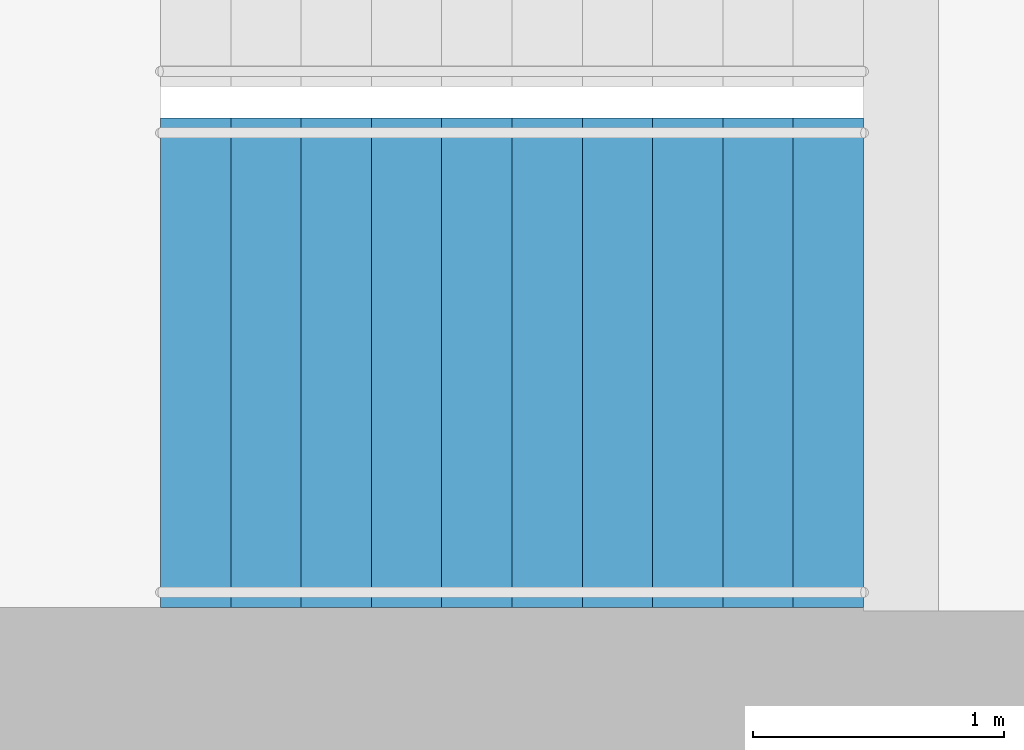
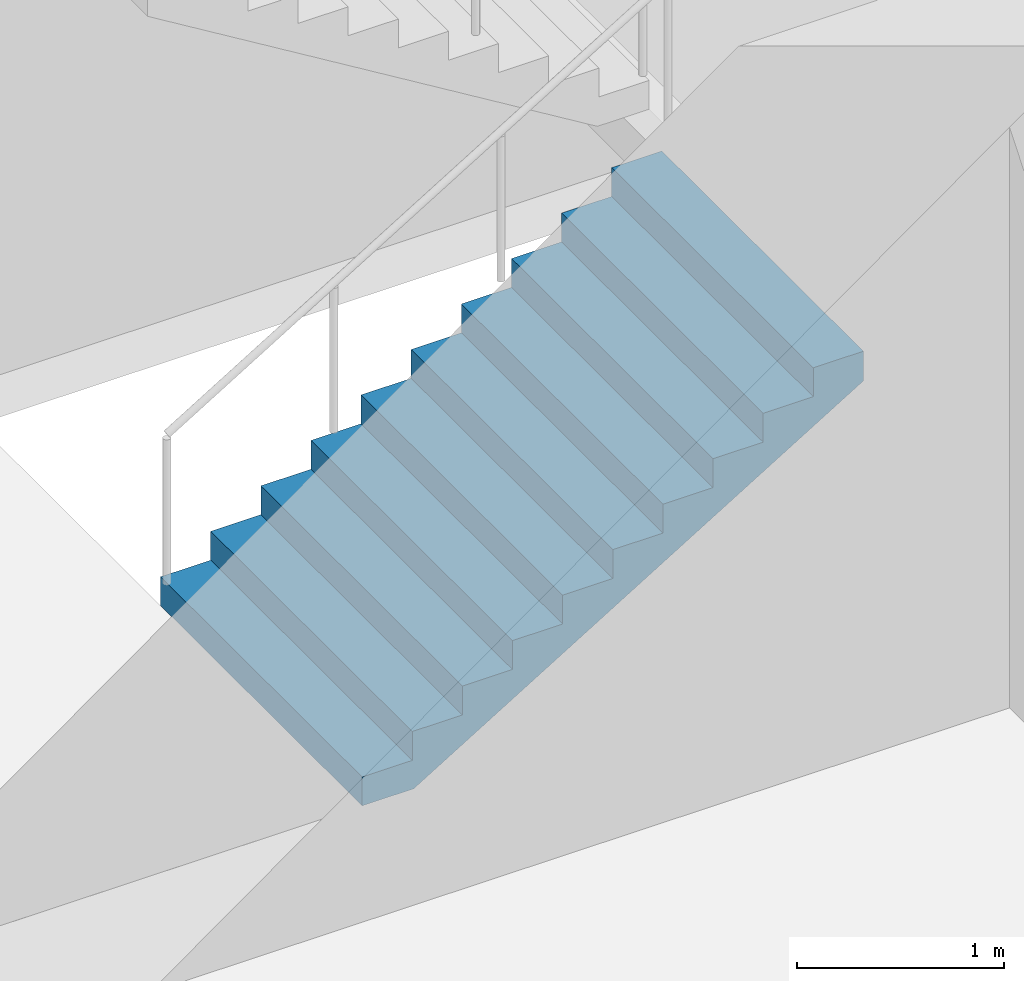
# One storey, part 18 of 22: 1 stair flight, 1 element without a shape of its own.
"""IFC4 building model written with IfcOpenShell, lengths in metres."""

from ifc_helpers import new_model, si_unit, direction, frame, origin, place, context, subcontext, project, spatial, triangles, material, type_object, element, aggregate, save


model = new_model("IFC4")

# Units and contexts
model_context = context("Model", 3, precision=1e-05, world=origin(), true_north=direction((0.0, 1.0)))
body_context = subcontext(model_context, "Body", "Model", "MODEL_VIEW")
ifc_project = project(units=[si_unit("LENGTHUNIT", "METRE"), si_unit("AREAUNIT", "SQUARE_METRE"), si_unit("VOLUMEUNIT", "CUBIC_METRE"), si_unit("PLANEANGLEUNIT", "RADIAN"), si_unit("MASSUNIT", "GRAM", prefix="KILO")], contexts=[model_context])

# Site, building, storey
site_placement = place(None, origin())
site = spatial("IfcSite", under=ifc_project, at=site_placement, CompositionType="ELEMENT")
building_placement = place(site_placement, origin())
building = spatial("IfcBuilding", under=site, at=building_placement, Name="Orbita Commons", CompositionType="ELEMENT")
storey_placement = place(building_placement, frame((0.0, 0.0, 182.35009765625)))
storey = spatial("IfcBuildingStorey", under=building, at=storey_placement, Name="L45", CompositionType="ELEMENT", Elevation=182.35009765625)

# Stair, stair flight
ifc_material_1 = material(Name="Precast concrete C40/50", Category="concrete")
stair_type = type_object("IfcStairType", Name="Exit stair S1 2 flights 11 risers 170", PredefinedType="HALF_TURN_STAIR", material=ifc_material_1)
stair_placement = place(storey_placement, origin())
stair = element("IfcStair", 1, at=stair_placement, inside=storey, type_object=stair_type, Name="Exit stair S1 L45", PredefinedType="HALF_TURN_STAIR")
ifc_material_2 = material(Name="Precast concrete C40/50", Category="concrete")
stair_flight_type = type_object("IfcStairFlightType", Name="Stair flight 11 risers 170 x 280", PredefinedType="STRAIGHT", material=ifc_material_2)
stair_flight_placement = place(storey_placement, frame((20.449951171875, 27.199951171875, 0.0), z_axis=(0.0, 0.0, 1.0), x_axis=(1.0, 0.0, 0.0)))
stair_flight = element("IfcStairFlight", 2, at=stair_flight_placement, type_object=stair_flight_type, Name="S1 flight 1", NumberOfRisers=11, NumberOfTreads=10, PredefinedType="STRAIGHT", RiserHeight=0.170454545, TreadLength=0.28, context=body_context, shape_type="Tessellation", body=[
    triangles([(0.0, 0.974976, 0.0), (0.0, 0.974976, 0.021307), (0.0, 0.81248, 0.021307), (0.0, 0.81248, 0.0), (0.0, 0.649984, 0.021307), (0.0, 0.649984, 0.0), (0.0, 0.487488, 0.021307), (0.0, 0.487488, 0.0), (0.0, 0.324992, 0.021307), (0.0, 0.324992, 0.0), (0.0, 0.162496, 0.021307), (0.0, 0.162496, 0.0), (0.0, 0.0, 0.021307), (0.0, 0.0, 0.0), (0.0, -0.162496, 0.021307), (0.0, -0.162496, 0.0), (0.0, -0.324992, 0.021307), (0.0, -0.324992, 0.0), (0.0, -0.487488, 0.021307), (0.0, -0.487488, 0.0), (0.0, -0.649984, 0.021307), (0.0, -0.649984, 0.0), (0.0, -0.81248, 0.021307), (0.0, -0.81248, 0.0), (0.0, -0.974976, 0.021307), (0.0, -0.974976, 0.0), (0.0, 0.974976, 0.042614), (0.0, 0.81248, 0.042614), (0.0, 0.649984, 0.042614), (0.0, 0.487488, 0.042614), (0.0, 0.324992, 0.042614), (0.0, 0.162496, 0.042614), (0.0, 0.0, 0.042614), (0.0, -0.162496, 0.042614), (0.0, -0.324992, 0.042614), (0.0, -0.487488, 0.042614), (0.0, -0.649984, 0.042614), (0.0, -0.81248, 0.042614), (0.0, -0.974976, 0.042614), (0.0, 0.974976, 0.06392), (0.0, 0.81248, 0.06392), (0.0, 0.649984, 0.06392), (0.0, 0.487488, 0.06392), (0.0, 0.324992, 0.06392), (0.0, 0.162496, 0.06392), (0.0, 0.0, 0.06392), (0.0, -0.162496, 0.06392), (0.0, -0.324992, 0.06392), (0.0, -0.487488, 0.06392), (0.0, -0.649984, 0.06392), (0.0, -0.81248, 0.06392), (0.0, -0.974976, 0.06392), (0.0, 0.974976, 0.085227), (0.0, 0.81248, 0.085227), (0.0, 0.649984, 0.085227), (0.0, 0.487488, 0.085227), (0.0, 0.324992, 0.085227), (0.0, 0.162496, 0.085227), (0.0, 0.0, 0.085227), (0.0, -0.162496, 0.085227), (0.0, -0.324992, 0.085227), (0.0, -0.487488, 0.085227), (0.0, -0.649984, 0.085227), (0.0, -0.81248, 0.085227), (0.0, -0.974976, 0.085227), (0.0, 0.974976, 0.106534), (0.0, 0.81248, 0.106534), (0.0, 0.649984, 0.106534), (0.0, 0.487488, 0.106534), (0.0, 0.324992, 0.106534), (0.0, 0.162496, 0.106534), (0.0, 0.0, 0.106534), (0.0, -0.162496, 0.106534), (0.0, -0.324992, 0.106534), (0.0, -0.487488, 0.106534), (0.0, -0.649984, 0.106534), (0.0, -0.81248, 0.106534), (0.0, -0.974976, 0.106534), (0.0, 0.974976, 0.127841), (0.0, 0.81248, 0.127841), (0.0, 0.649984, 0.127841), (0.0, 0.487488, 0.127841), (0.0, 0.324992, 0.127841), (0.0, 0.162496, 0.127841), (0.0, 0.0, 0.127841), (0.0, -0.162496, 0.127841), (0.0, -0.324992, 0.127841), (0.0, -0.487488, 0.127841), (0.0, -0.649984, 0.127841), (0.0, -0.81248, 0.127841), (0.0, -0.974976, 0.127841), (0.0, 0.974976, 0.149148), (0.0, 0.81248, 0.149148), (0.0, 0.649984, 0.149148), (0.0, 0.487488, 0.149148), (0.0, 0.324992, 0.149148), (0.0, 0.162496, 0.149148), (0.0, 0.0, 0.149148), (0.0, -0.162496, 0.149148), (0.0, -0.324992, 0.149148), (0.0, -0.487488, 0.149148), (0.0, -0.649984, 0.149148), (0.0, -0.81248, 0.149148), (0.0, -0.974976, 0.149148), (0.0, 0.974976, 0.170455), (0.0, 0.81248, 0.170455), (0.0, 0.649984, 0.170455), (0.0, 0.487488, 0.170455), (0.0, 0.324992, 0.170455), (0.0, 0.162496, 0.170455), (0.0, 0.0, 0.170455), (0.0, -0.162496, 0.170455), (0.0, -0.324992, 0.170455), (0.0, -0.487488, 0.170455), (0.0, -0.649984, 0.170455), (0.0, -0.81248, 0.170455), (0.0, -0.974976, 0.170455), (0.28, 0.974976, 0.170455), (0.28, 0.81248, 0.170455), (0.28, 0.649984, 0.170455), (0.28, 0.487488, 0.170455), (0.28, 0.324992, 0.170455), (0.28, 0.162496, 0.170455), (0.28, 0.0, 0.170455), (0.28, -0.162496, 0.170455), (0.28, -0.324992, 0.170455), (0.28, -0.487488, 0.170455), (0.28, -0.649984, 0.170455), (0.28, -0.81248, 0.170455), (0.28, -0.974976, 0.170455), (0.28, 0.974976, 0.340909), (0.28, 0.81248, 0.340909), (0.28, 0.649984, 0.340909), (0.28, 0.487488, 0.340909), (0.28, 0.324992, 0.340909), (0.28, 0.162496, 0.340909), (0.28, 0.0, 0.340909), (0.28, -0.162496, 0.340909), (0.28, -0.324992, 0.340909), (0.28, -0.487488, 0.340909), (0.28, -0.649984, 0.340909), (0.28, -0.81248, 0.340909), (0.28, -0.974976, 0.340909), (0.56, 0.974976, 0.340909), (0.56, 0.81248, 0.340909), (0.56, 0.649984, 0.340909), (0.56, 0.487488, 0.340909), (0.56, 0.324992, 0.340909), (0.56, 0.162496, 0.340909), (0.56, 0.0, 0.340909), (0.56, -0.162496, 0.340909), (0.56, -0.324992, 0.340909), (0.56, -0.487488, 0.340909), (0.56, -0.649984, 0.340909), (0.56, -0.81248, 0.340909), (0.56, -0.974976, 0.340909), (0.56, 0.974976, 0.511364), (0.56, 0.81248, 0.511364), (0.56, 0.649984, 0.511364), (0.56, 0.487488, 0.511364), (0.56, 0.324992, 0.511364), (0.56, 0.162496, 0.511364), (0.56, 0.0, 0.511364), (0.56, -0.162496, 0.511364), (0.56, -0.324992, 0.511364), (0.56, -0.487488, 0.511364), (0.56, -0.649984, 0.511364), (0.56, -0.81248, 0.511364), (0.56, -0.974976, 0.511364), (0.84, 0.974976, 0.511364), (0.84, 0.81248, 0.511364), (0.84, 0.649984, 0.511364), (0.84, 0.487488, 0.511364), (0.84, 0.324992, 0.511364), (0.84, 0.162496, 0.511364), (0.84, 0.0, 0.511364), (0.84, -0.162496, 0.511364), (0.84, -0.324992, 0.511364), (0.84, -0.487488, 0.511364), (0.84, -0.649984, 0.511364), (0.84, -0.81248, 0.511364), (0.84, -0.974976, 0.511364), (0.84, 0.974976, 0.681818), (0.84, 0.81248, 0.681818), (0.84, 0.649984, 0.681818), (0.84, 0.487488, 0.681818), (0.84, 0.324992, 0.681818), (0.84, 0.162496, 0.681818), (0.84, 0.0, 0.681818), (0.84, -0.162496, 0.681818), (0.84, -0.324992, 0.681818), (0.84, -0.487488, 0.681818), (0.84, -0.649984, 0.681818), (0.84, -0.81248, 0.681818), (0.84, -0.974976, 0.681818), (1.12, 0.974976, 0.681818), (1.12, 0.81248, 0.681818), (1.12, 0.649984, 0.681818), (1.12, 0.487488, 0.681818), (1.12, 0.324992, 0.681818), (1.12, 0.162496, 0.681818), (1.12, 0.0, 0.681818), (1.12, -0.162496, 0.681818), (1.12, -0.324992, 0.681818), (1.12, -0.487488, 0.681818), (1.12, -0.649984, 0.681818), (1.12, -0.81248, 0.681818), (1.12, -0.974976, 0.681818), (1.12, 0.974976, 0.852273), (1.12, 0.81248, 0.852273), (1.12, 0.649984, 0.852273), (1.12, 0.487488, 0.852273), (1.12, 0.324992, 0.852273), (1.12, 0.162496, 0.852273), (1.12, 0.0, 0.852273), (1.12, -0.162496, 0.852273), (1.12, -0.324992, 0.852273), (1.12, -0.487488, 0.852273), (1.12, -0.649984, 0.852273), (1.12, -0.81248, 0.852273), (1.12, -0.974976, 0.852273), (1.4, 0.974976, 0.852273), (1.4, 0.81248, 0.852273), (1.4, 0.649984, 0.852273), (1.4, 0.487488, 0.852273), (1.4, 0.324992, 0.852273), (1.4, 0.162496, 0.852273), (1.4, 0.0, 0.852273), (1.4, -0.162496, 0.852273), (1.4, -0.324992, 0.852273), (1.4, -0.487488, 0.852273), (1.4, -0.649984, 0.852273), (1.4, -0.81248, 0.852273), (1.4, -0.974976, 0.852273), (1.4, 0.974976, 1.022727), (1.4, 0.81248, 1.022727), (1.4, 0.649984, 1.022727), (1.4, 0.487488, 1.022727), (1.4, 0.324992, 1.022727), (1.4, 0.162496, 1.022727), (1.4, 0.0, 1.022727), (1.4, -0.162496, 1.022727), (1.4, -0.324992, 1.022727), (1.4, -0.487488, 1.022727), (1.4, -0.649984, 1.022727), (1.4, -0.81248, 1.022727), (1.4, -0.974976, 1.022727), (1.68, 0.974976, 1.022727), (1.68, 0.81248, 1.022727), (1.68, 0.649984, 1.022727), (1.68, 0.487488, 1.022727), (1.68, 0.324992, 1.022727), (1.68, 0.162496, 1.022727), (1.68, 0.0, 1.022727), (1.68, -0.162496, 1.022727), (1.68, -0.324992, 1.022727), (1.68, -0.487488, 1.022727), (1.68, -0.649984, 1.022727), (1.68, -0.81248, 1.022727), (1.68, -0.974976, 1.022727), (1.68, 0.974976, 1.193182), (1.68, 0.81248, 1.193182), (1.68, 0.649984, 1.193182), (1.68, 0.487488, 1.193182), (1.68, 0.324992, 1.193182), (1.68, 0.162496, 1.193182), (1.68, 0.0, 1.193182), (1.68, -0.162496, 1.193182), (1.68, -0.324992, 1.193182), (1.68, -0.487488, 1.193182), (1.68, -0.649984, 1.193182), (1.68, -0.81248, 1.193182), (1.68, -0.974976, 1.193182), (1.96, 0.974976, 1.193182), (1.96, 0.81248, 1.193182), (1.96, 0.649984, 1.193182), (1.96, 0.487488, 1.193182), (1.96, 0.324992, 1.193182), (1.96, 0.162496, 1.193182), (1.96, 0.0, 1.193182), (1.96, -0.162496, 1.193182), (1.96, -0.324992, 1.193182), (1.96, -0.487488, 1.193182), (1.96, -0.649984, 1.193182), (1.96, -0.81248, 1.193182), (1.96, -0.974976, 1.193182), (1.96, 0.974976, 1.363636), (1.96, 0.81248, 1.363636), (1.96, 0.649984, 1.363636), (1.96, 0.487488, 1.363636), (1.96, 0.324992, 1.363636), (1.96, 0.162496, 1.363636), (1.96, 0.0, 1.363636), (1.96, -0.162496, 1.363636), (1.96, -0.324992, 1.363636), (1.96, -0.487488, 1.363636), (1.96, -0.649984, 1.363636), (1.96, -0.81248, 1.363636), (1.96, -0.974976, 1.363636), (2.24, 0.974976, 1.363636), (2.24, 0.81248, 1.363636), (2.24, 0.649984, 1.363636), (2.24, 0.487488, 1.363636), (2.24, 0.324992, 1.363636), (2.24, 0.162496, 1.363636), (2.24, 0.0, 1.363636), (2.24, -0.162496, 1.363636), (2.24, -0.324992, 1.363636), (2.24, -0.487488, 1.363636), (2.24, -0.649984, 1.363636), (2.24, -0.81248, 1.363636), (2.24, -0.974976, 1.363636), (2.24, 0.974976, 1.534091), (2.24, 0.81248, 1.534091), (2.24, 0.649984, 1.534091), (2.24, 0.487488, 1.534091), (2.24, 0.324992, 1.534091), (2.24, 0.162496, 1.534091), (2.24, 0.0, 1.534091), (2.24, -0.162496, 1.534091), (2.24, -0.324992, 1.534091), (2.24, -0.487488, 1.534091), (2.24, -0.649984, 1.534091), (2.24, -0.81248, 1.534091), (2.24, -0.974976, 1.534091), (2.52, 0.974976, 1.534091), (2.52, 0.81248, 1.534091), (2.52, 0.649984, 1.534091), (2.52, 0.487488, 1.534091), (2.52, 0.324992, 1.534091), (2.52, 0.162496, 1.534091), (2.52, 0.0, 1.534091), (2.52, -0.162496, 1.534091), (2.52, -0.324992, 1.534091), (2.52, -0.487488, 1.534091), (2.52, -0.649984, 1.534091), (2.52, -0.81248, 1.534091), (2.52, -0.974976, 1.534091), (2.52, 0.974976, 1.704545), (2.52, 0.81248, 1.704545), (2.52, 0.649984, 1.704545), (2.52, 0.487488, 1.704545), (2.52, 0.324992, 1.704545), (2.52, 0.162496, 1.704545), (2.52, 0.0, 1.704545), (2.52, -0.162496, 1.704545), (2.52, -0.324992, 1.704545), (2.52, -0.487488, 1.704545), (2.52, -0.649984, 1.704545), (2.52, -0.81248, 1.704545), (2.52, -0.974976, 1.704545), (2.8, 0.974976, 1.704545), (2.8, 0.81248, 1.704545), (2.8, 0.649984, 1.704545), (2.8, 0.487488, 1.704545), (2.8, 0.324992, 1.704545), (2.8, 0.162496, 1.704545), (2.8, 0.0, 1.704545), (2.8, -0.162496, 1.704545), (2.8, -0.324992, 1.704545), (2.8, -0.487488, 1.704545), (2.8, -0.649984, 1.704545), (2.8, -0.81248, 1.704545), (2.8, -0.974976, 1.704545), (2.8, 0.974976, 1.682609), (2.8, 0.81248, 1.682609), (2.8, 0.649984, 1.682609), (2.8, 0.487488, 1.682609), (2.8, 0.324992, 1.682609), (2.8, 0.162496, 1.682609), (2.8, 0.0, 1.682609), (2.8, -0.162496, 1.682609), (2.8, -0.324992, 1.682609), (2.8, -0.487488, 1.682609), (2.8, -0.649984, 1.682609), (2.8, -0.81248, 1.682609), (2.8, -0.974976, 1.682609), (2.8, 0.974976, 1.660672), (2.8, 0.81248, 1.660672), (2.8, 0.649984, 1.660672), (2.8, 0.487488, 1.660672), (2.8, 0.324992, 1.660672), (2.8, 0.162496, 1.660672), (2.8, 0.0, 1.660672), (2.8, -0.162496, 1.660672), (2.8, -0.324992, 1.660672), (2.8, -0.487488, 1.660672), (2.8, -0.649984, 1.660672), (2.8, -0.81248, 1.660672), (2.8, -0.974976, 1.660672), (2.8, 0.974976, 1.638735), (2.8, 0.81248, 1.638735), (2.8, 0.649984, 1.638735), (2.8, 0.487488, 1.638735), (2.8, 0.324992, 1.638735), (2.8, 0.162496, 1.638735), (2.8, 0.0, 1.638735), (2.8, -0.162496, 1.638735), (2.8, -0.324992, 1.638735), (2.8, -0.487488, 1.638735), (2.8, -0.649984, 1.638735), (2.8, -0.81248, 1.638735), (2.8, -0.974976, 1.638735), (2.8, 0.974976, 1.616798), (2.8, 0.81248, 1.616798), (2.8, 0.649984, 1.616798), (2.8, 0.487488, 1.616798), (2.8, 0.324992, 1.616798), (2.8, 0.162496, 1.616798), (2.8, 0.0, 1.616798), (2.8, -0.162496, 1.616798), (2.8, -0.324992, 1.616798), (2.8, -0.487488, 1.616798), (2.8, -0.649984, 1.616798), (2.8, -0.81248, 1.616798), (2.8, -0.974976, 1.616798), (2.8, 0.974976, 1.594861), (2.8, 0.81248, 1.594861), (2.8, 0.649984, 1.594861), (2.8, 0.487488, 1.594861), (2.8, 0.324992, 1.594861), (2.8, 0.162496, 1.594861), (2.8, 0.0, 1.594861), (2.8, -0.162496, 1.594861), (2.8, -0.324992, 1.594861), (2.8, -0.487488, 1.594861), (2.8, -0.649984, 1.594861), (2.8, -0.81248, 1.594861), (2.8, -0.974976, 1.594861), (2.8, 0.974976, 1.572925), (2.8, 0.81248, 1.572925), (2.8, 0.649984, 1.572925), (2.8, 0.487488, 1.572925), (2.8, 0.324992, 1.572925), (2.8, 0.162496, 1.572925), (2.8, 0.0, 1.572925), (2.8, -0.162496, 1.572925), (2.8, -0.324992, 1.572925), (2.8, -0.487488, 1.572925), (2.8, -0.649984, 1.572925), (2.8, -0.81248, 1.572925), (2.8, -0.974976, 1.572925), (2.8, 0.974976, 1.550988), (2.8, 0.81248, 1.550988), (2.8, 0.649984, 1.550988), (2.8, 0.487488, 1.550988), (2.8, 0.324992, 1.550988), (2.8, 0.162496, 1.550988), (2.8, 0.0, 1.550988), (2.8, -0.162496, 1.550988), (2.8, -0.324992, 1.550988), (2.8, -0.487488, 1.550988), (2.8, -0.649984, 1.550988), (2.8, -0.81248, 1.550988), (2.8, -0.974976, 1.550988), (2.8, 0.974976, 1.529051), (2.8, 0.81248, 1.529051), (2.8, 0.649984, 1.529051), (2.8, 0.487488, 1.529051), (2.8, 0.324992, 1.529051), (2.8, 0.162496, 1.529051), (2.8, 0.0, 1.529051), (2.8, -0.162496, 1.529051), (2.8, -0.324992, 1.529051), (2.8, -0.487488, 1.529051), (2.8, -0.649984, 1.529051), (2.8, -0.81248, 1.529051), (2.8, -0.974976, 1.529051), (0.288279, 0.974976, 0.0), (0.288279, 0.81248, 0.0), (0.288279, 0.649984, 0.0), (0.288279, 0.487488, 0.0), (0.288279, 0.324992, 0.0), (0.288279, 0.162496, 0.0), (0.288279, 0.0, 0.0), (0.288279, -0.162496, 0.0), (0.288279, -0.324992, 0.0), (0.288279, -0.487488, 0.0), (0.288279, -0.649984, 0.0), (0.288279, -0.81248, 0.0), (0.288279, -0.974976, 0.0)], [[3, 2, 1], [4, 3, 1], [5, 3, 4], [6, 5, 4], [7, 5, 6], [8, 7, 6], [9, 7, 8], [10, 9, 8], [11, 9, 10], [12, 11, 10], [13, 11, 12], [14, 13, 12], [15, 13, 14], [16, 15, 14], [17, 15, 16], [18, 17, 16], [19, 17, 18], [20, 19, 18], [21, 19, 20], [22, 21, 20], [23, 21, 22], [24, 23, 22], [25, 23, 24], [26, 25, 24], [28, 27, 2], [3, 28, 2], [29, 28, 3], [5, 29, 3], [30, 29, 5], [7, 30, 5], [31, 30, 7], [9, 31, 7], [32, 31, 9], [11, 32, 9], [33, 32, 11], [13, 33, 11], [34, 33, 13], [15, 34, 13], [35, 34, 15], [17, 35, 15], [36, 35, 17], [19, 36, 17], [37, 36, 19], [21, 37, 19], [38, 37, 21], [23, 38, 21], [39, 38, 23], [25, 39, 23], [41, 40, 27], [28, 41, 27], [42, 41, 28], [29, 42, 28], [43, 42, 29], [30, 43, 29], [44, 43, 30], [31, 44, 30], [45, 44, 31], [32, 45, 31], [46, 45, 32], [33, 46, 32], [47, 46, 33], [34, 47, 33], [48, 47, 34], [35, 48, 34], [49, 48, 35], [36, 49, 35], [50, 49, 36], [37, 50, 36], [51, 50, 37], [38, 51, 37], [52, 51, 38], [39, 52, 38], [54, 53, 40], [41, 54, 40], [55, 54, 41], [42, 55, 41], [56, 55, 42], [43, 56, 42], [57, 56, 43], [44, 57, 43], [58, 57, 44], [45, 58, 44], [59, 58, 45], [46, 59, 45], [60, 59, 46], [47, 60, 46], [61, 60, 47], [48, 61, 47], [62, 61, 48], [49, 62, 48], [63, 62, 49], [50, 63, 49], [64, 63, 50], [51, 64, 50], [65, 64, 51], [52, 65, 51], [67, 66, 53], [54, 67, 53], [68, 67, 54], [55, 68, 54], [69, 68, 55], [56, 69, 55], [70, 69, 56], [57, 70, 56], [71, 70, 57], [58, 71, 57], [72, 71, 58], [59, 72, 58], [73, 72, 59], [60, 73, 59], [74, 73, 60], [61, 74, 60], [75, 74, 61], [62, 75, 61], [76, 75, 62], [63, 76, 62], [77, 76, 63], [64, 77, 63], [78, 77, 64], [65, 78, 64], [80, 79, 66], [67, 80, 66], [81, 80, 67], [68, 81, 67], [82, 81, 68], [69, 82, 68], [83, 82, 69], [70, 83, 69], [84, 83, 70], [71, 84, 70], [85, 84, 71], [72, 85, 71], [86, 85, 72], [73, 86, 72], [87, 86, 73], [74, 87, 73], [88, 87, 74], [75, 88, 74], [89, 88, 75], [76, 89, 75], [90, 89, 76], [77, 90, 76], [91, 90, 77], [78, 91, 77], [93, 92, 79], [80, 93, 79], [94, 93, 80], [81, 94, 80], [95, 94, 81], [82, 95, 81], [96, 95, 82], [83, 96, 82], [97, 96, 83], [84, 97, 83], [98, 97, 84], [85, 98, 84], [99, 98, 85], [86, 99, 85], [100, 99, 86], [87, 100, 86], [101, 100, 87], [88, 101, 87], [102, 101, 88], [89, 102, 88], [103, 102, 89], [90, 103, 89], [104, 103, 90], [91, 104, 90], [106, 105, 92], [93, 106, 92], [107, 106, 93], [94, 107, 93], [108, 107, 94], [95, 108, 94], [109, 108, 95], [96, 109, 95], [110, 109, 96], [97, 110, 96], [111, 110, 97], [98, 111, 97], [112, 111, 98], [99, 112, 98], [113, 112, 99], [100, 113, 99], [114, 113, 100], [101, 114, 100], [115, 114, 101], [102, 115, 101], [116, 115, 102], [103, 116, 102], [117, 116, 103], [104, 117, 103], [119, 118, 105], [106, 119, 105], [120, 119, 106], [107, 120, 106], [121, 120, 107], [108, 121, 107], [122, 121, 108], [109, 122, 108], [123, 122, 109], [110, 123, 109], [124, 123, 110], [111, 124, 110], [125, 124, 111], [112, 125, 111], [126, 125, 112], [113, 126, 112], [127, 126, 113], [114, 127, 113], [128, 127, 114], [115, 128, 114], [129, 128, 115], [116, 129, 115], [130, 129, 116], [117, 130, 116], [132, 131, 118], [119, 132, 118], [133, 132, 119], [120, 133, 119], [134, 133, 120], [121, 134, 120], [135, 134, 121], [122, 135, 121], [136, 135, 122], [123, 136, 122], [137, 136, 123], [124, 137, 123], [138, 137, 124], [125, 138, 124], [139, 138, 125], [126, 139, 125], [140, 139, 126], [127, 140, 126], [141, 140, 127], [128, 141, 127], [142, 141, 128], [129, 142, 128], [143, 142, 129], [130, 143, 129], [145, 144, 131], [132, 145, 131], [146, 145, 132], [133, 146, 132], [147, 146, 133], [134, 147, 133], [148, 147, 134], [135, 148, 134], [149, 148, 135], [136, 149, 135], [150, 149, 136], [137, 150, 136], [151, 150, 137], [138, 151, 137], [152, 151, 138], [139, 152, 138], [153, 152, 139], [140, 153, 139], [154, 153, 140], [141, 154, 140], [155, 154, 141], [142, 155, 141], [156, 155, 142], [143, 156, 142], [158, 157, 144], [145, 158, 144], [159, 158, 145], [146, 159, 145], [160, 159, 146], [147, 160, 146], [161, 160, 147], [148, 161, 147], [162, 161, 148], [149, 162, 148], [163, 162, 149], [150, 163, 149], [164, 163, 150], [151, 164, 150], [165, 164, 151], [152, 165, 151], [166, 165, 152], [153, 166, 152], [167, 166, 153], [154, 167, 153], [168, 167, 154], [155, 168, 154], [169, 168, 155], [156, 169, 155], [171, 170, 157], [158, 171, 157], [172, 171, 158], [159, 172, 158], [173, 172, 159], [160, 173, 159], [174, 173, 160], [161, 174, 160], [175, 174, 161], [162, 175, 161], [176, 175, 162], [163, 176, 162], [177, 176, 163], [164, 177, 163], [178, 177, 164], [165, 178, 164], [179, 178, 165], [166, 179, 165], [180, 179, 166], [167, 180, 166], [181, 180, 167], [168, 181, 167], [182, 181, 168], [169, 182, 168], [184, 183, 170], [171, 184, 170], [185, 184, 171], [172, 185, 171], [186, 185, 172], [173, 186, 172], [187, 186, 173], [174, 187, 173], [188, 187, 174], [175, 188, 174], [189, 188, 175], [176, 189, 175], [190, 189, 176], [177, 190, 176], [191, 190, 177], [178, 191, 177], [192, 191, 178], [179, 192, 178], [193, 192, 179], [180, 193, 179], [194, 193, 180], [181, 194, 180], [195, 194, 181], [182, 195, 181], [197, 196, 183], [184, 197, 183], [198, 197, 184], [185, 198, 184], [199, 198, 185], [186, 199, 185], [200, 199, 186], [187, 200, 186], [201, 200, 187], [188, 201, 187], [202, 201, 188], [189, 202, 188], [203, 202, 189], [190, 203, 189], [204, 203, 190], [191, 204, 190], [205, 204, 191], [192, 205, 191], [206, 205, 192], [193, 206, 192], [207, 206, 193], [194, 207, 193], [208, 207, 194], [195, 208, 194], [210, 209, 196], [197, 210, 196], [211, 210, 197], [198, 211, 197], [212, 211, 198], [199, 212, 198], [213, 212, 199], [200, 213, 199], [214, 213, 200], [201, 214, 200], [215, 214, 201], [202, 215, 201], [216, 215, 202], [203, 216, 202], [217, 216, 203], [204, 217, 203], [218, 217, 204], [205, 218, 204], [219, 218, 205], [206, 219, 205], [220, 219, 206], [207, 220, 206], [221, 220, 207], [208, 221, 207], [223, 222, 209], [210, 223, 209], [224, 223, 210], [211, 224, 210], [225, 224, 211], [212, 225, 211], [226, 225, 212], [213, 226, 212], [227, 226, 213], [214, 227, 213], [228, 227, 214], [215, 228, 214], [229, 228, 215], [216, 229, 215], [230, 229, 216], [217, 230, 216], [231, 230, 217], [218, 231, 217], [232, 231, 218], [219, 232, 218], [233, 232, 219], [220, 233, 219], [234, 233, 220], [221, 234, 220], [236, 235, 222], [223, 236, 222], [237, 236, 223], [224, 237, 223], [238, 237, 224], [225, 238, 224], [239, 238, 225], [226, 239, 225], [240, 239, 226], [227, 240, 226], [241, 240, 227], [228, 241, 227], [242, 241, 228], [229, 242, 228], [243, 242, 229], [230, 243, 229], [244, 243, 230], [231, 244, 230], [245, 244, 231], [232, 245, 231], [246, 245, 232], [233, 246, 232], [247, 246, 233], [234, 247, 233], [249, 248, 235], [236, 249, 235], [250, 249, 236], [237, 250, 236], [251, 250, 237], [238, 251, 237], [252, 251, 238], [239, 252, 238], [253, 252, 239], [240, 253, 239], [254, 253, 240], [241, 254, 240], [255, 254, 241], [242, 255, 241], [256, 255, 242], [243, 256, 242], [257, 256, 243], [244, 257, 243], [258, 257, 244], [245, 258, 244], [259, 258, 245], [246, 259, 245], [260, 259, 246], [247, 260, 246], [262, 261, 248], [249, 262, 248], [263, 262, 249], [250, 263, 249], [264, 263, 250], [251, 264, 250], [265, 264, 251], [252, 265, 251], [266, 265, 252], [253, 266, 252], [267, 266, 253], [254, 267, 253], [268, 267, 254], [255, 268, 254], [269, 268, 255], [256, 269, 255], [270, 269, 256], [257, 270, 256], [271, 270, 257], [258, 271, 257], [272, 271, 258], [259, 272, 258], [273, 272, 259], [260, 273, 259], [275, 274, 261], [262, 275, 261], [276, 275, 262], [263, 276, 262], [277, 276, 263], [264, 277, 263], [278, 277, 264], [265, 278, 264], [279, 278, 265], [266, 279, 265], [280, 279, 266], [267, 280, 266], [281, 280, 267], [268, 281, 267], [282, 281, 268], [269, 282, 268], [283, 282, 269], [270, 283, 269], [284, 283, 270], [271, 284, 270], [285, 284, 271], [272, 285, 271], [286, 285, 272], [273, 286, 272], [288, 287, 274], [275, 288, 274], [289, 288, 275], [276, 289, 275], [290, 289, 276], [277, 290, 276], [291, 290, 277], [278, 291, 277], [292, 291, 278], [279, 292, 278], [293, 292, 279], [280, 293, 279], [294, 293, 280], [281, 294, 280], [295, 294, 281], [282, 295, 281], [296, 295, 282], [283, 296, 282], [297, 296, 283], [284, 297, 283], [298, 297, 284], [285, 298, 284], [299, 298, 285], [286, 299, 285], [301, 300, 287], [288, 301, 287], [302, 301, 288], [289, 302, 288], [303, 302, 289], [290, 303, 289], [304, 303, 290], [291, 304, 290], [305, 304, 291], [292, 305, 291], [306, 305, 292], [293, 306, 292], [307, 306, 293], [294, 307, 293], [308, 307, 294], [295, 308, 294], [309, 308, 295], [296, 309, 295], [310, 309, 296], [297, 310, 296], [311, 310, 297], [298, 311, 297], [312, 311, 298], [299, 312, 298], [314, 313, 300], [301, 314, 300], [315, 314, 301], [302, 315, 301], [316, 315, 302], [303, 316, 302], [317, 316, 303], [304, 317, 303], [318, 317, 304], [305, 318, 304], [319, 318, 305], [306, 319, 305], [320, 319, 306], [307, 320, 306], [321, 320, 307], [308, 321, 307], [322, 321, 308], [309, 322, 308], [323, 322, 309], [310, 323, 309], [324, 323, 310], [311, 324, 310], [325, 324, 311], [312, 325, 311], [327, 326, 313], [314, 327, 313], [328, 327, 314], [315, 328, 314], [329, 328, 315], [316, 329, 315], [330, 329, 316], [317, 330, 316], [331, 330, 317], [318, 331, 317], [332, 331, 318], [319, 332, 318], [333, 332, 319], [320, 333, 319], [334, 333, 320], [321, 334, 320], [335, 334, 321], [322, 335, 321], [336, 335, 322], [323, 336, 322], [337, 336, 323], [324, 337, 323], [338, 337, 324], [325, 338, 324], [340, 339, 326], [327, 340, 326], [341, 340, 327], [328, 341, 327], [342, 341, 328], [329, 342, 328], [343, 342, 329], [330, 343, 329], [344, 343, 330], [331, 344, 330], [345, 344, 331], [332, 345, 331], [346, 345, 332], [333, 346, 332], [347, 346, 333], [334, 347, 333], [348, 347, 334], [335, 348, 334], [349, 348, 335], [336, 349, 335], [350, 349, 336], [337, 350, 336], [351, 350, 337], [338, 351, 337], [353, 352, 339], [340, 353, 339], [354, 353, 340], [341, 354, 340], [355, 354, 341], [342, 355, 341], [356, 355, 342], [343, 356, 342], [357, 356, 343], [344, 357, 343], [358, 357, 344], [345, 358, 344], [359, 358, 345], [346, 359, 345], [360, 359, 346], [347, 360, 346], [361, 360, 347], [348, 361, 347], [362, 361, 348], [349, 362, 348], [363, 362, 349], [350, 363, 349], [364, 363, 350], [351, 364, 350], [366, 365, 352], [353, 366, 352], [367, 366, 353], [354, 367, 353], [368, 367, 354], [355, 368, 354], [369, 368, 355], [356, 369, 355], [370, 369, 356], [357, 370, 356], [371, 370, 357], [358, 371, 357], [372, 371, 358], [359, 372, 358], [373, 372, 359], [360, 373, 359], [374, 373, 360], [361, 374, 360], [375, 374, 361], [362, 375, 361], [376, 375, 362], [363, 376, 362], [377, 376, 363], [364, 377, 363], [379, 378, 365], [366, 379, 365], [380, 379, 366], [367, 380, 366], [381, 380, 367], [368, 381, 367], [382, 381, 368], [369, 382, 368], [383, 382, 369], [370, 383, 369], [384, 383, 370], [371, 384, 370], [385, 384, 371], [372, 385, 371], [386, 385, 372], [373, 386, 372], [387, 386, 373], [374, 387, 373], [388, 387, 374], [375, 388, 374], [389, 388, 375], [376, 389, 375], [390, 389, 376], [377, 390, 376], [392, 391, 378], [379, 392, 378], [393, 392, 379], [380, 393, 379], [394, 393, 380], [381, 394, 380], [395, 394, 381], [382, 395, 381], [396, 395, 382], [383, 396, 382], [397, 396, 383], [384, 397, 383], [398, 397, 384], [385, 398, 384], [399, 398, 385], [386, 399, 385], [400, 399, 386], [387, 400, 386], [401, 400, 387], [388, 401, 387], [402, 401, 388], [389, 402, 388], [403, 402, 389], [390, 403, 389], [405, 404, 391], [392, 405, 391], [406, 405, 392], [393, 406, 392], [407, 406, 393], [394, 407, 393], [408, 407, 394], [395, 408, 394], [409, 408, 395], [396, 409, 395], [410, 409, 396], [397, 410, 396], [411, 410, 397], [398, 411, 397], [412, 411, 398], [399, 412, 398], [413, 412, 399], [400, 413, 399], [414, 413, 400], [401, 414, 400], [415, 414, 401], [402, 415, 401], [416, 415, 402], [403, 416, 402], [418, 417, 404], [405, 418, 404], [419, 418, 405], [406, 419, 405], [420, 419, 406], [407, 420, 406], [421, 420, 407], [408, 421, 407], [422, 421, 408], [409, 422, 408], [423, 422, 409], [410, 423, 409], [424, 423, 410], [411, 424, 410], [425, 424, 411], [412, 425, 411], [426, 425, 412], [413, 426, 412], [427, 426, 413], [414, 427, 413], [428, 427, 414], [415, 428, 414], [429, 428, 415], [416, 429, 415], [431, 430, 417], [418, 431, 417], [432, 431, 418], [419, 432, 418], [433, 432, 419], [420, 433, 419], [434, 433, 420], [421, 434, 420], [435, 434, 421], [422, 435, 421], [436, 435, 422], [423, 436, 422], [437, 436, 423], [424, 437, 423], [438, 437, 424], [425, 438, 424], [439, 438, 425], [426, 439, 425], [440, 439, 426], [427, 440, 426], [441, 440, 427], [428, 441, 427], [442, 441, 428], [429, 442, 428], [444, 443, 430], [431, 444, 430], [445, 444, 431], [432, 445, 431], [446, 445, 432], [433, 446, 432], [447, 446, 433], [434, 447, 433], [448, 447, 434], [435, 448, 434], [449, 448, 435], [436, 449, 435], [450, 449, 436], [437, 450, 436], [451, 450, 437], [438, 451, 437], [452, 451, 438], [439, 452, 438], [453, 452, 439], [440, 453, 439], [454, 453, 440], [441, 454, 440], [455, 454, 441], [442, 455, 441], [457, 456, 443], [444, 457, 443], [458, 457, 444], [445, 458, 444], [459, 458, 445], [446, 459, 445], [460, 459, 446], [447, 460, 446], [461, 460, 447], [448, 461, 447], [462, 461, 448], [449, 462, 448], [463, 462, 449], [450, 463, 449], [464, 463, 450], [451, 464, 450], [465, 464, 451], [452, 465, 451], [466, 465, 452], [453, 466, 452], [467, 466, 453], [454, 467, 453], [468, 467, 454], [455, 468, 454], [470, 469, 456], [457, 470, 456], [471, 470, 457], [458, 471, 457], [472, 471, 458], [459, 472, 458], [473, 472, 459], [460, 473, 459], [474, 473, 460], [461, 474, 460], [475, 474, 461], [462, 475, 461], [476, 475, 462], [463, 476, 462], [477, 476, 463], [464, 477, 463], [478, 477, 464], [465, 478, 464], [479, 478, 465], [466, 479, 465], [480, 479, 466], [467, 480, 466], [481, 480, 467], [468, 481, 467], [4, 1, 469], [470, 4, 469], [6, 4, 470], [471, 6, 470], [8, 6, 471], [472, 8, 471], [10, 8, 472], [473, 10, 472], [12, 10, 473], [474, 12, 473], [14, 12, 474], [475, 14, 474], [16, 14, 475], [476, 16, 475], [18, 16, 476], [477, 18, 476], [20, 18, 477], [478, 20, 477], [22, 20, 478], [479, 22, 478], [24, 22, 479], [480, 24, 479], [26, 24, 480], [481, 26, 480], [456, 469, 1], [26, 481, 468], [443, 456, 1], [26, 468, 455], [430, 443, 1], [26, 455, 442], [417, 430, 1], [26, 442, 429], [404, 417, 1], [26, 429, 416], [391, 404, 1], [26, 416, 403], [378, 391, 1], [26, 403, 390], [365, 378, 1], [26, 390, 377], [339, 352, 365], [377, 364, 351], [326, 339, 365], [377, 351, 338], [300, 313, 326], [338, 325, 312], [300, 326, 365], [377, 338, 312], [274, 287, 300], [312, 299, 286], [274, 300, 365], [377, 312, 286], [248, 261, 274], [286, 273, 260], [248, 274, 365], [377, 286, 260], [222, 235, 248], [260, 247, 234], [222, 248, 365], [377, 260, 234], [196, 209, 222], [234, 221, 208], [196, 222, 365], [377, 234, 208], [170, 183, 196], [208, 195, 182], [170, 196, 365], [377, 208, 182], [144, 157, 170], [182, 169, 156], [144, 170, 365], [377, 182, 156], [118, 131, 144], [156, 143, 130], [118, 144, 365], [377, 156, 130], [118, 365, 1], [26, 377, 130], [92, 105, 118], [130, 117, 104], [79, 92, 118], [130, 104, 91], [66, 79, 118], [130, 91, 78], [53, 66, 118], [130, 78, 65], [40, 53, 118], [130, 65, 52], [27, 40, 118], [130, 52, 39], [2, 27, 118], [130, 39, 25], [1, 2, 118], [130, 25, 26]], closed=True),
])
aggregate(stair, [stair_flight])

save(model, "model.ifc")
